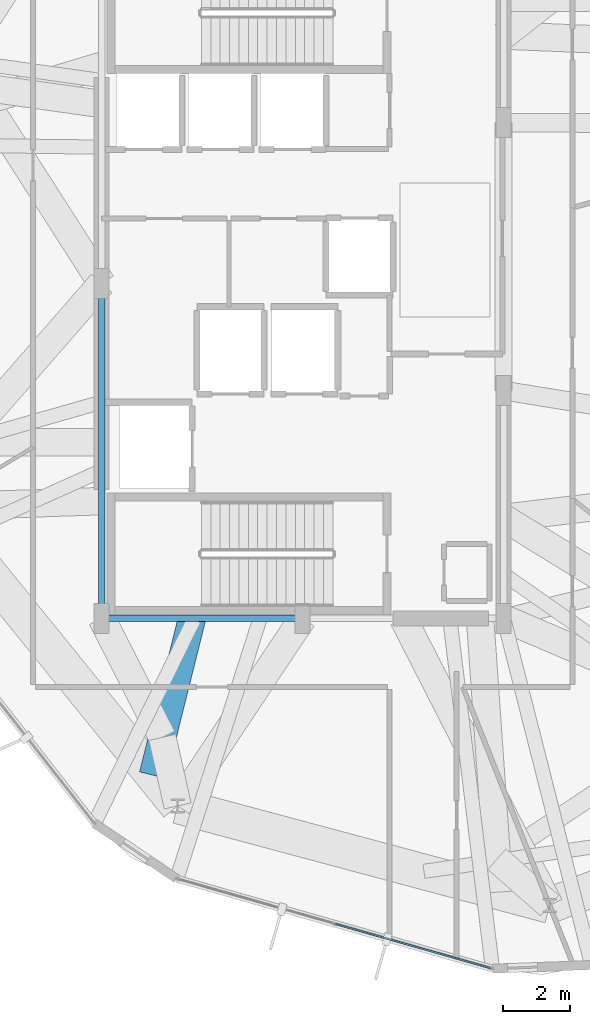
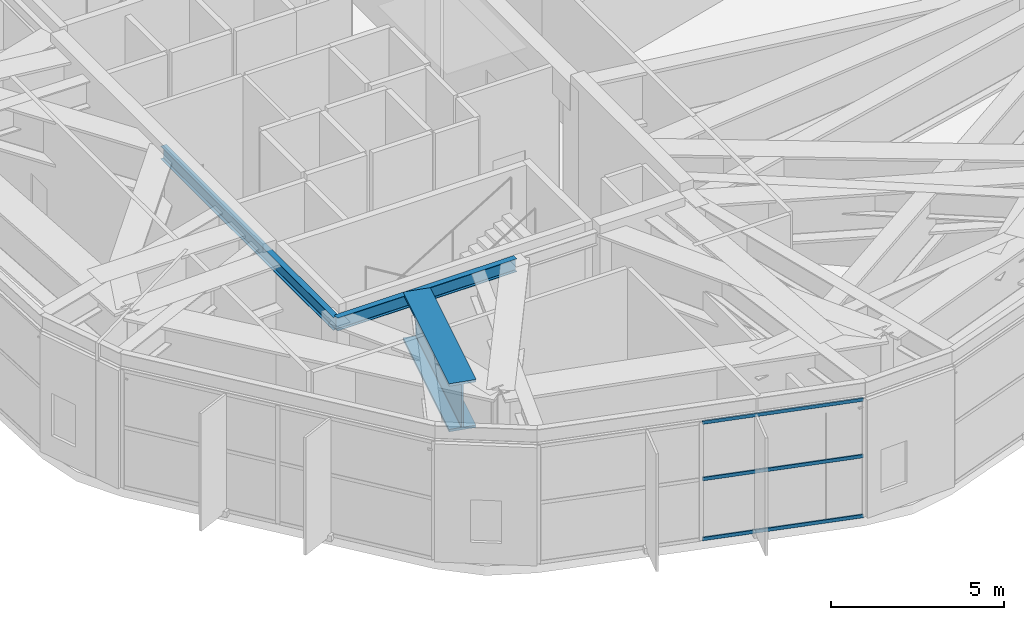
# One storey, part 6 of 30: 3 beams, 3 members, 1 element without a shape of its own.
"""IFC4 building model written with IfcOpenShell, lengths in metres."""

import ifcopenshell
import ifcopenshell.guid

model = None  # the IFC model being written
_history = None  # IfcOwnerHistory: only IFC2X3 demands one
_inside = {}  # id of a spatial element -> (the spatial element, [elements in it])
_under = {}  # id of a project, library or spatial element -> (it, [spatial elements below it])
_declared = {}  # id of a project -> (the project, [libraries it declares])
_typed = {}  # id of a type object -> (the type object, [elements of that type])
_made_of = {}  # id of a material, layer set ... -> (it, [elements and type objects made of it])


def new_model(schema):
    """Start an empty IFC model of exactly this schema.

    Asked for "IFC4X3", IfcOpenShell would pick the latest addendum, in which some entities
    have other attributes; the version numbers below select the first issue.
    IFC2X3 requires an IfcOwnerHistory on every rooted entity: one is made here for all.
    """
    global model, _history
    if schema == "IFC4X3":
        model = ifcopenshell.file(schema_version=(4, 3, 0, 0))
    else:
        model = ifcopenshell.file(schema=schema)
    _inside.clear()
    _under.clear()
    _declared.clear()
    _typed.clear()
    _made_of.clear()
    _history = None
    if model.schema == "IFC2X3":
        org = make("IfcOrganization", Name="unknown")
        user = make(
            "IfcPersonAndOrganization",
            ThePerson=make("IfcPerson", FamilyName="unknown"),
            TheOrganization=org,
        )
        app = make(
            "IfcApplication",
            ApplicationDeveloper=org,
            Version="unknown",
            ApplicationFullName="unknown",
            ApplicationIdentifier="unknown",
        )
        _history = make(
            "IfcOwnerHistory",
            OwningUser=user,
            OwningApplication=app,
            ChangeAction="ADDED",
            CreationDate=0,
        )
    return model


def make(cls, **values):
    """One entity of the class cls with the attributes given. An attribute that is None is left unset."""
    return model.create_entity(
        cls, **{name: value for name, value in values.items() if value is not None}
    )


def rooted(cls, **values):
    """An entity with a GlobalId (a new one), such as an element, a storey or a relation."""
    return make(cls, GlobalId=ifcopenshell.guid.new(), OwnerHistory=_history, **values)


def si_unit(unit_type, name, prefix=None):
    """IfcSIUnit, for example si_unit("LENGTHUNIT", "METRE", prefix="MILLI")."""
    return make("IfcSIUnit", UnitType=unit_type, Prefix=prefix, Name=name)


def assignment(units):
    """IfcUnitAssignment: the units of a project."""
    return None if units is None else make("IfcUnitAssignment", Units=units)


def point(xyz):
    """IfcCartesianPoint."""
    return None if xyz is None else make("IfcCartesianPoint", Coordinates=xyz)


def direction(xyz):
    """IfcDirection."""
    return None if xyz is None else make("IfcDirection", DirectionRatios=xyz)


def frame(location, z_axis=None, x_axis=None):
    """IfcAxis2Placement3D, a coordinate frame: its origin and axes. An axis left out is left unset."""
    return make(
        "IfcAxis2Placement3D",
        Location=point(location),
        Axis=direction(z_axis),
        RefDirection=direction(x_axis),
    )


def frame_2d(location, x_axis=None):
    """IfcAxis2Placement2D, a coordinate frame in the plane: its origin and x axis."""
    return make(
        "IfcAxis2Placement2D", Location=point(location), RefDirection=direction(x_axis)
    )


def origin():
    """The frame at (0, 0, 0) with its axes left unset."""
    return frame((0.0, 0.0, 0.0))


def origin_2d():
    """The frame at (0, 0) in the plane with its x axis left unset."""
    return frame_2d((0.0, 0.0))


def place(relative_to, where):
    """IfcLocalPlacement: puts the frame where relative to a parent placement (None: the world)."""
    return make(
        "IfcLocalPlacement", PlacementRelTo=relative_to, RelativePlacement=where
    )


def context(
    kind, dimensions, precision=None, world=None, true_north=None, identifier=None
):
    """IfcGeometricRepresentationContext, for example the 3D "Model" context."""
    return make(
        "IfcGeometricRepresentationContext",
        ContextIdentifier=identifier,
        ContextType=kind,
        CoordinateSpaceDimension=dimensions,
        Precision=precision,
        WorldCoordinateSystem=world,
        TrueNorth=true_north,
    )


def subcontext(parent, identifier, kind, view, scale=None):
    """IfcGeometricRepresentationSubContext, for example "Body" below "Model"."""
    return make(
        "IfcGeometricRepresentationSubContext",
        ContextIdentifier=identifier,
        ContextType=kind,
        ParentContext=parent,
        TargetScale=scale,
        TargetView=view,
    )


def project(units=None, contexts=None):
    """IfcProject with its units and contexts."""
    return rooted(
        "IfcProject",
        Name="project",
        RepresentationContexts=contexts,
        UnitsInContext=assignment(units),
    )


def spatial(cls, under=None, at=None, **own):
    """A site, building, storey or space (cls), placed at a placement, below another one or the project."""
    s = rooted(cls, ObjectPlacement=at, **own)
    if under is not None:
        _under.setdefault(under.id(), (under, []))[1].append(s)
    return s


def profile(cls, at=None, kind="AREA", **sizes):
    """A parametric profile (cls). Its sizes go by their IFC names, for example OverallWidth=200.0."""
    return make(cls, ProfileType=kind, Position=at, **sizes)


def hollow_rectangle(**sizes):
    """IfcRectangleHollowProfileDef."""
    return profile("IfcRectangleHollowProfileDef", **sizes)


def i_section(**sizes):
    """IfcIShapeProfileDef."""
    return profile("IfcIShapeProfileDef", **sizes)


def extrude(swept, where, along, depth):
    """IfcExtrudedAreaSolid: the profile swept, set in the frame where, extruded along a direction by depth."""
    return make(
        "IfcExtrudedAreaSolid",
        SweptArea=swept,
        Position=where,
        ExtrudedDirection=direction(along),
        Depth=depth,
    )


def shape(context_of_items, identifier, shape_type, items):
    """IfcShapeRepresentation: the items that make up one representation, for example the "Body"."""
    return make(
        "IfcShapeRepresentation",
        ContextOfItems=context_of_items,
        RepresentationIdentifier=identifier,
        RepresentationType=shape_type,
        Items=items,
    )


def material(Name=None, Category=None):
    """IfcMaterial."""
    return make("IfcMaterial", Name=Name, Category=Category)


def layer(
    of_material, thickness, ventilated=None, Name=None, Category=None, Priority=None
):
    """IfcMaterialLayer: one layer of a wall or slab, of a material (None: an air gap)."""
    return make(
        "IfcMaterialLayer",
        Material=of_material,
        LayerThickness=thickness,
        IsVentilated=ventilated,
        Name=Name,
        Category=Category,
        Priority=Priority,
    )


def layer_set(layers, Name=None):
    """IfcMaterialLayerSet."""
    return make("IfcMaterialLayerSet", MaterialLayers=layers, LayerSetName=Name)


def material_profile(
    of_material, cross_section, Name=None, Category=None, Priority=None
):
    """IfcMaterialProfile: a cross section and its material."""
    return make(
        "IfcMaterialProfile",
        Name=Name,
        Material=of_material,
        Profile=cross_section,
        Priority=Priority,
        Category=Category,
    )


def profile_set(profiles, Name=None, composite=None):
    """IfcMaterialProfileSet."""
    return make(
        "IfcMaterialProfileSet",
        Name=Name,
        MaterialProfiles=profiles,
        CompositeProfile=composite,
    )


def made_of(thing, what):
    """Note that an element or type object is made of a material, layer set ...; save() writes the relation."""
    if what is not None:
        _made_of.setdefault(what.id(), (what, []))[1].append(thing)
    return thing


def type_object(cls, material=None, **own):
    """A type object (cls), such as IfcWallType, which elements share."""
    return made_of(rooted(cls, **own), material)


def element(
    cls,
    number,
    at=None,
    inside=None,
    cuts=None,
    type_object=None,
    material=None,
    context=None,
    identifier="Body",
    shape_type=None,
    held_by="IfcProductDefinitionShape",
    body=None,
    shapes=None,
    **own,
):
    """One element of the class cls, such as IfcWall. Its Tag is "e" and its number.

    at: its placement. inside: the storey or other place that contains it. cuts: it is an
    opening in that element (IfcRelVoidsElement). A single representation is given by context,
    identifier, shape_type and body (its items); several are given by shapes. held_by: the class
    of the entity that holds the representations. save() writes the other relations.
    """
    e = rooted(cls, Tag="e%d" % number, ObjectPlacement=at, **own)
    if body is not None:
        shapes = [shape(context, identifier, shape_type, body)]
    if shapes is not None:
        e.Representation = make(held_by, Representations=shapes)
    if inside is not None:
        _inside.setdefault(inside.id(), (inside, []))[1].append(e)
    if cuts is not None:
        rooted(
            "IfcRelVoidsElement", RelatingBuildingElement=cuts, RelatedOpeningElement=e
        )
    if type_object is not None:
        _typed.setdefault(type_object.id(), (type_object, []))[1].append(e)
    return made_of(e, material)


def aggregate(whole, parts):
    """IfcRelAggregates: a whole, such as a stair, and the parts it consists of."""
    return rooted("IfcRelAggregates", RelatingObject=whole, RelatedObjects=parts)


def save(model, path):
    """Write the relations noted so far, then the file.

    IfcRelAggregates (storeys below a building ...), IfcRelContainedInSpatialStructure (elements
    in a storey), IfcRelDefinesByType, IfcRelAssociatesMaterial and IfcRelDeclares: one each for
    every whole, place, type object, material and project.
    """
    for whole, parts in _under.values():
        aggregate(whole, parts)
    for where, things in _inside.values():
        rooted(
            "IfcRelContainedInSpatialStructure",
            RelatedElements=things,
            RelatingStructure=where,
        )
    for kind, things in _typed.values():
        rooted("IfcRelDefinesByType", RelatedObjects=things, RelatingType=kind)
    for what, things in _made_of.values():
        rooted("IfcRelAssociatesMaterial", RelatedObjects=things, RelatingMaterial=what)
    for by, libraries in _declared.values():
        rooted("IfcRelDeclares", RelatingContext=by, RelatedDefinitions=libraries)
    model.write(path)


model = new_model("IFC4")

# Units and contexts
model_context = context("Model", 3, precision=1e-05, world=origin(), true_north=direction((0.0, 1.0)))
body_context = subcontext(model_context, "Body", "Model", "MODEL_VIEW")
ifc_project = project(units=[si_unit("LENGTHUNIT", "METRE"), si_unit("AREAUNIT", "SQUARE_METRE"), si_unit("VOLUMEUNIT", "CUBIC_METRE"), si_unit("PLANEANGLEUNIT", "RADIAN"), si_unit("MASSUNIT", "GRAM", prefix="KILO")], contexts=[model_context])

# Site, building, storey
site_placement = place(None, origin())
site = spatial("IfcSite", under=ifc_project, at=site_placement, CompositionType="ELEMENT")
building_placement = place(site_placement, origin())
building = spatial("IfcBuilding", under=site, at=building_placement, Name="Soratama Intermodal Tower", CompositionType="ELEMENT")
storey_placement = place(building_placement, frame((0.0, 0.0, 237.39990234375)))
storey = spatial("IfcBuildingStorey", under=building, at=storey_placement, Name="L60", CompositionType="ELEMENT", Elevation=237.39990234375)

# Beams
ifc_material_1 = material(Name="Structural steel ASTM A992 Grade 50", Category="steel")
ifc_material_profile_1 = material_profile(ifc_material_1, i_section(OverallWidth=0.19091796875, OverallDepth=0.4599609375, WebThickness=0.010009765625, FlangeThickness=0.01611328125, FilletRadius=0.010986328125, at=origin_2d()), Name="W18X55")
ifc_profile_set_1 = profile_set([ifc_material_profile_1], Name="Structural steel ASTM A992 Grade 50")
beam_type_1 = type_object("IfcBeamType", Name="BM-FLR-W18X55", PredefinedType="BEAM", material=ifc_profile_set_1)
beam_1_placement = place(storey_placement, frame((32.60009765625, 15.0, 4.570068359375), z_axis=(1.0, 0.0, 0.0), x_axis=(0.0, 1.0, 0.0)))
element("IfcBeam", 1, at=beam_1_placement, inside=storey, type_object=beam_type_1, Name="BM-L60-CRING-01", PredefinedType="BEAM", context=body_context, shape_type="SweptSolid", body=[
    extrude(i_section(OverallWidth=0.19091796875, OverallDepth=0.4599609375, WebThickness=0.010009765625, FlangeThickness=0.01611328125, FilletRadius=0.010986328125, at=origin_2d()), origin(), (0.0, 0.0, 1.0), 6.0),
])
beam_2_placement = place(storey_placement, frame((32.60009765625, 25.0, 4.570068359375), z_axis=(0.0, -1.0, 0.0), x_axis=(1.0, 0.0, 0.0)))
element("IfcBeam", 2, at=beam_2_placement, inside=storey, type_object=beam_type_1, Name="BM-L60-CRING-09", PredefinedType="BEAM", context=body_context, shape_type="SweptSolid", body=[
    extrude(i_section(OverallWidth=0.19091796875, OverallDepth=0.4599609375, WebThickness=0.010009765625, FlangeThickness=0.01611328125, FilletRadius=0.010986328125, at=origin_2d()), origin(), (0.0, 0.0, 1.0), 10.0),
])
ifc_material_2 = material(Name="Structural steel ASTM A992 Grade 50", Category="steel")
ifc_material_profile_2 = material_profile(ifc_material_2, i_section(OverallWidth=0.820068359375, OverallDepth=1.699951171875, WebThickness=0.053955078125, FlangeThickness=0.087890625, FilletRadius=0.02392578125, at=origin_2d()), Name="PG1580X800")
ifc_profile_set_2 = profile_set([ifc_material_profile_2], Name="Structural steel ASTM A992 Grade 50")
beam_type_2 = type_object("IfcBeamType", Name="BM-ZSTEP-PG1580", PredefinedType="BEAM", material=ifc_profile_set_2)
beam_3_placement = place(storey_placement, frame((34.12890625, 10.31591796875, 3.9501953125), z_axis=(0.241988216197, 0.970279188287, 0.0), x_axis=(-0.970279188287, 0.241988216197, 0.0)))
element("IfcBeam", 3, at=beam_3_placement, inside=storey, type_object=beam_type_2, Name="BM-L60-ZCHORD-07", PredefinedType="BEAM", context=body_context, shape_type="SweptSolid", body=[
    extrude(i_section(OverallWidth=0.820068359375, OverallDepth=1.699951171875, WebThickness=0.053955078125, FlangeThickness=0.087890625, FilletRadius=0.02392578125, at=origin_2d()), origin(), (0.0, 0.0, 1.0), 4.82763671875),
])

# Curtain wall, members
ifc_material_3 = material(Name="Double-glazed aluminium curtain wall", Category="aluminium")
ifc_layer = layer(ifc_material_3, 0.159912109375)
ifc_layer_set = layer_set([ifc_layer], Name="Double-glazed aluminium curtain wall")
curtain_wall_type = type_object("IfcCurtainWallType", Name="CW-SYS-5", PredefinedType="NOTDEFINED", material=ifc_layer_set)
curtain_wall_placement = place(storey_placement, origin())
curtain_wall = element("IfcCurtainWall", 4, at=curtain_wall_placement, inside=storey, type_object=curtain_wall_type, Name="L60 Faceted Curtain Wall F06", PredefinedType="NOTDEFINED")
ifc_material_4 = material(Name="Anodised aluminium AA 6063-T6", Category="aluminium")
ifc_material_profile_3 = material_profile(ifc_material_4, hollow_rectangle(XDim=0.06005859375, YDim=0.1298828125, WallThickness=0.0048828125, InnerFilletRadius=0.0048828125, OuterFilletRadius=0.010009765625, at=origin_2d()), Name="CWT130X60X5")
ifc_profile_set_3 = profile_set([ifc_material_profile_3], Name="Anodised aluminium AA 6063-T6")
member_type = type_object("IfcMemberType", Name="TT-CWT-2", PredefinedType="USERDEFINED", material=ifc_profile_set_3)
member_1_placement = place(storey_placement, frame((39.583251953125, 5.875244140625, 0.030029296875), z_axis=(0.961732485616, -0.273990193458, 0.0), x_axis=(0.273990193458, 0.961732485616, 0.0)))
member_1 = element("IfcMember", 5, at=member_1_placement, type_object=member_type, Name="CW-5 transom 2.1", ObjectType="TRANSOM", PredefinedType="USERDEFINED", context=body_context, shape_type="SweptSolid", body=[
    extrude(hollow_rectangle(XDim=0.06005859375, YDim=0.1298828125, WallThickness=0.0048828125, InnerFilletRadius=0.0048828125, OuterFilletRadius=0.010009765625, at=origin_2d()), origin(), (0.0, 0.0, 1.0), 4.80908203125),
])
member_2_placement = place(storey_placement, frame((39.583251953125, 5.875244140625, 2.150146484375), z_axis=(0.961732485616, -0.273990193458, 0.0), x_axis=(0.273990193458, 0.961732485616, 0.0)))
member_2 = element("IfcMember", 6, at=member_2_placement, type_object=member_type, Name="CW-5 transom 2.2", ObjectType="TRANSOM", PredefinedType="USERDEFINED", context=body_context, shape_type="SweptSolid", body=[
    extrude(hollow_rectangle(XDim=0.06005859375, YDim=0.1298828125, WallThickness=0.0048828125, InnerFilletRadius=0.0048828125, OuterFilletRadius=0.010009765625, at=origin_2d()), origin(), (0.0, 0.0, 1.0), 4.80908203125),
])
member_3_placement = place(storey_placement, frame((39.583251953125, 5.875244140625, 4.149169921875), z_axis=(0.961732485616, -0.273990193458, 0.0), x_axis=(0.273990193458, 0.961732485616, 0.0)))
member_3 = element("IfcMember", 7, at=member_3_placement, type_object=member_type, Name="CW-5 transom 2.3", ObjectType="TRANSOM", PredefinedType="USERDEFINED", context=body_context, shape_type="SweptSolid", body=[
    extrude(hollow_rectangle(XDim=0.06005859375, YDim=0.1298828125, WallThickness=0.0048828125, InnerFilletRadius=0.0048828125, OuterFilletRadius=0.010009765625, at=origin_2d()), origin(), (0.0, 0.0, 1.0), 4.80908203125),
])
aggregate(curtain_wall, [member_1, member_2, member_3])

save(model, "model.ifc")
